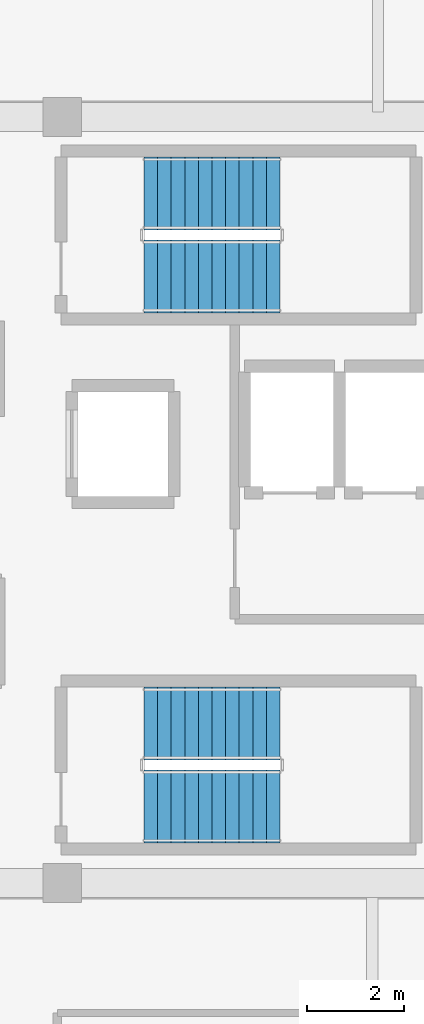
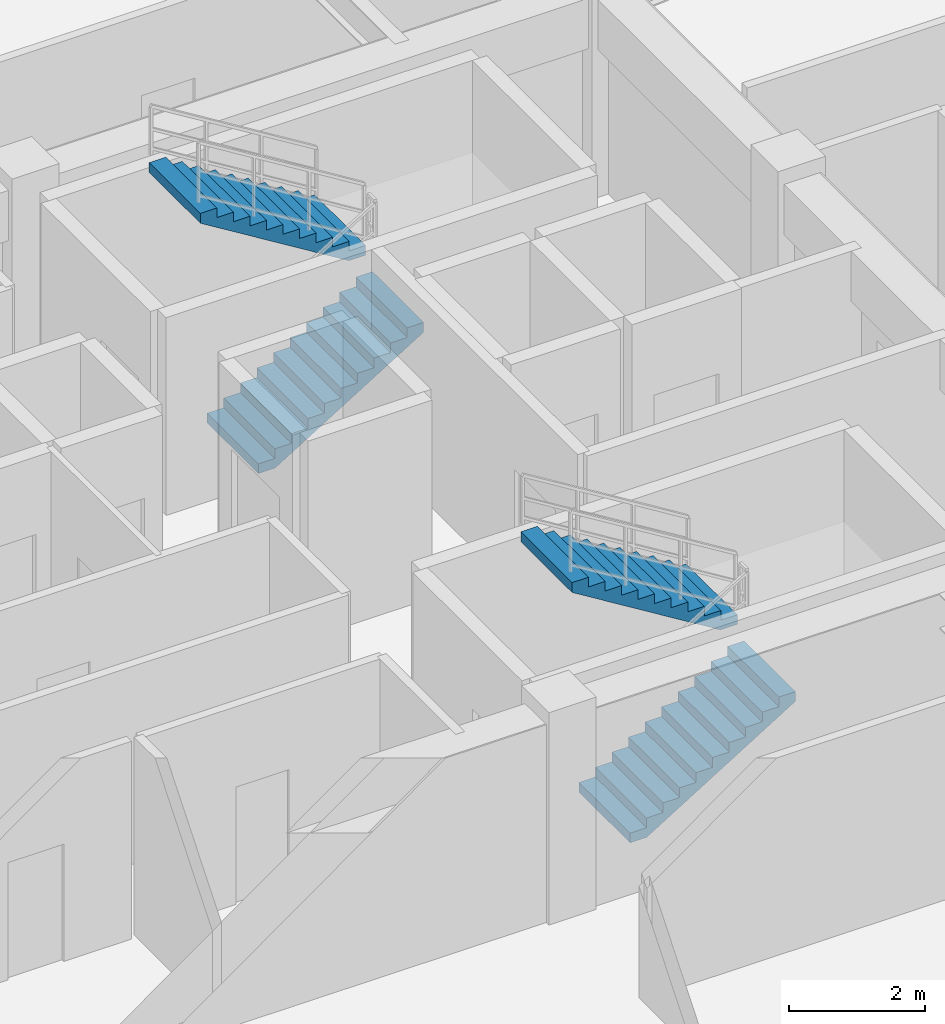
# One storey, part 11 of 13: 4 stair flights, 2 elements without a shape of their own.
"""IFC4 building model written with IfcOpenShell, lengths in metres."""

from ifc_helpers import new_model, si_unit, direction, frame, origin, place, context, subcontext, project, spatial, polyline, outline, extrude, material, type_object, element, aggregate, save


model = new_model("IFC4")

# Units and contexts
model_context = context("Model", 3, precision=1e-05, world=origin(), true_north=direction((0.0, 1.0)))
body_context = subcontext(model_context, "Body", "Model", "MODEL_VIEW")
ifc_project = project(units=[si_unit("LENGTHUNIT", "METRE"), si_unit("AREAUNIT", "SQUARE_METRE"), si_unit("VOLUMEUNIT", "CUBIC_METRE"), si_unit("PLANEANGLEUNIT", "RADIAN"), si_unit("MASSUNIT", "GRAM", prefix="KILO")], contexts=[model_context])

# Site, building, storey
site_placement = place(None, origin())
site = spatial("IfcSite", under=ifc_project, at=site_placement, CompositionType="ELEMENT")
building_placement = place(site_placement, origin())
building = spatial("IfcBuilding", under=site, at=building_placement, Name="Zulverin Broadcast Headquarters", CompositionType="ELEMENT")
storey_placement = place(building_placement, frame((0.0, 0.0, 301.0)))
storey = spatial("IfcBuildingStorey", under=building, at=storey_placement, Name="L77", CompositionType="ELEMENT", Elevation=301.0)

# Stair, stair flights
ifc_material = material(Name="Concrete C40/50", Category="concrete")
stair_type = type_object("IfcStairType", Name="ST-CORE-1500", PredefinedType="HALF_TURN_STAIR", material=ifc_material)
stair_1_placement = place(storey_placement, origin())
stair_1 = element("IfcStair", 1, at=stair_1_placement, inside=storey, type_object=stair_type, Name="L77 Core Exit Stair ST-1", PredefinedType="HALF_TURN_STAIR")
stair_flight_type = type_object("IfcStairFlightType", Name="SF-CORE-1500", PredefinedType="STRAIGHT", material=ifc_material)
stair_flight_1_placement = place(storey_placement, frame((40.1298828125, 29.800048828125, 0.0), z_axis=(0.0, 0.0, 1.0), x_axis=(1.0, 0.0, 0.0)))
stair_flight_1 = element("IfcStairFlight", 2, at=stair_flight_1_placement, type_object=stair_flight_type, Name="ST-1 flight 1", NumberOfRisers=11, NumberOfTreads=10, PredefinedType="STRAIGHT", RiserHeight=0.172727273, TreadLength=0.28, context=body_context, shape_type="SweptSolid", body=[
    extrude(outline(polyline([(0.0, 0.0), (0.0, 0.172607421875), (0.280029296875, 0.172607421875), (0.280029296875, 0.345458984375), (0.56005859375, 0.345458984375), (0.56005859375, 0.51806640625), (0.840087890625, 0.51806640625), (0.840087890625, 0.69091796875), (1.1201171875, 0.69091796875), (1.1201171875, 0.863525390625), (1.39990234375, 0.863525390625), (1.39990234375, 1.036376953125), (1.679931640625, 1.036376953125), (1.679931640625, 1.208984375), (1.9599609375, 1.208984375), (1.9599609375, 1.3818359375), (2.239990234375, 1.3818359375), (2.239990234375, 1.554443359375), (2.52001953125, 1.554443359375), (2.52001953125, 1.727294921875), (2.800048828125, 1.727294921875), (2.800048828125, 1.89990234375), (2.800048828125, 1.551025390625), (0.285400390625, 0.0), (0.0, 0.0)])), frame((0.0, 0.75, 0.0), z_axis=(0.0, -1.0, 0.0), x_axis=(1.0, 0.0, 0.0)), (0.0, 0.0, 1.0), 1.5),
])
stair_flight_2_placement = place(storey_placement, frame((42.929931640625, 31.5, 1.89990234375), z_axis=(0.0, 0.0, 1.0), x_axis=(-1.0, 0.0, 0.0)))
stair_flight_2 = element("IfcStairFlight", 3, at=stair_flight_2_placement, type_object=stair_flight_type, Name="ST-1 flight 2", NumberOfRisers=11, NumberOfTreads=10, PredefinedType="STRAIGHT", RiserHeight=0.172727273, TreadLength=0.28, context=body_context, shape_type="SweptSolid", body=[
    extrude(outline(polyline([(0.0, 0.0), (0.0, 0.172607421875), (0.280029296875, 0.172607421875), (0.280029296875, 0.345458984375), (0.56005859375, 0.345458984375), (0.56005859375, 0.51806640625), (0.840087890625, 0.51806640625), (0.840087890625, 0.69091796875), (1.1201171875, 0.69091796875), (1.1201171875, 0.863525390625), (1.39990234375, 0.863525390625), (1.39990234375, 1.036376953125), (1.679931640625, 1.036376953125), (1.679931640625, 1.208984375), (1.9599609375, 1.208984375), (1.9599609375, 1.3818359375), (2.239990234375, 1.3818359375), (2.239990234375, 1.554443359375), (2.52001953125, 1.554443359375), (2.52001953125, 1.727294921875), (2.800048828125, 1.727294921875), (2.800048828125, 1.89990234375), (2.800048828125, 1.551025390625), (0.285400390625, 0.0), (0.0, 0.0)])), frame((0.0, 0.75, 0.0), z_axis=(0.0, -1.0, 0.0), x_axis=(1.0, 0.0, 0.0)), (0.0, 0.0, 1.0), 1.5),
])
aggregate(stair_1, [stair_flight_1, stair_flight_2])

stair_2_placement = place(storey_placement, origin())
stair_2 = element("IfcStair", 4, at=stair_2_placement, inside=storey, type_object=stair_type, Name="L77 Core Exit Stair ST-2", PredefinedType="HALF_TURN_STAIR")
stair_flight_3_placement = place(storey_placement, frame((40.1298828125, 18.89990234375, 0.0), z_axis=(0.0, 0.0, 1.0), x_axis=(1.0, 0.0, 0.0)))
stair_flight_3 = element("IfcStairFlight", 5, at=stair_flight_3_placement, type_object=stair_flight_type, Name="ST-2 flight 1", NumberOfRisers=11, NumberOfTreads=10, PredefinedType="STRAIGHT", RiserHeight=0.172727273, TreadLength=0.28, context=body_context, shape_type="SweptSolid", body=[
    extrude(outline(polyline([(0.0, 0.0), (0.0, 0.172607421875), (0.280029296875, 0.172607421875), (0.280029296875, 0.345458984375), (0.56005859375, 0.345458984375), (0.56005859375, 0.51806640625), (0.840087890625, 0.51806640625), (0.840087890625, 0.69091796875), (1.1201171875, 0.69091796875), (1.1201171875, 0.863525390625), (1.39990234375, 0.863525390625), (1.39990234375, 1.036376953125), (1.679931640625, 1.036376953125), (1.679931640625, 1.208984375), (1.9599609375, 1.208984375), (1.9599609375, 1.3818359375), (2.239990234375, 1.3818359375), (2.239990234375, 1.554443359375), (2.52001953125, 1.554443359375), (2.52001953125, 1.727294921875), (2.800048828125, 1.727294921875), (2.800048828125, 1.89990234375), (2.800048828125, 1.551025390625), (0.285400390625, 0.0), (0.0, 0.0)])), frame((0.0, 0.75, 0.0), z_axis=(0.0, -1.0, 0.0), x_axis=(1.0, 0.0, 0.0)), (0.0, 0.0, 1.0), 1.5),
])
stair_flight_4_placement = place(storey_placement, frame((42.929931640625, 20.60009765625, 1.89990234375), z_axis=(0.0, 0.0, 1.0), x_axis=(-1.0, 0.0, 0.0)))
stair_flight_4 = element("IfcStairFlight", 6, at=stair_flight_4_placement, type_object=stair_flight_type, Name="ST-2 flight 2", NumberOfRisers=11, NumberOfTreads=10, PredefinedType="STRAIGHT", RiserHeight=0.172727273, TreadLength=0.28, context=body_context, shape_type="SweptSolid", body=[
    extrude(outline(polyline([(0.0, 0.0), (0.0, 0.172607421875), (0.280029296875, 0.172607421875), (0.280029296875, 0.345458984375), (0.56005859375, 0.345458984375), (0.56005859375, 0.51806640625), (0.840087890625, 0.51806640625), (0.840087890625, 0.69091796875), (1.1201171875, 0.69091796875), (1.1201171875, 0.863525390625), (1.39990234375, 0.863525390625), (1.39990234375, 1.036376953125), (1.679931640625, 1.036376953125), (1.679931640625, 1.208984375), (1.9599609375, 1.208984375), (1.9599609375, 1.3818359375), (2.239990234375, 1.3818359375), (2.239990234375, 1.554443359375), (2.52001953125, 1.554443359375), (2.52001953125, 1.727294921875), (2.800048828125, 1.727294921875), (2.800048828125, 1.89990234375), (2.800048828125, 1.551025390625), (0.285400390625, 0.0), (0.0, 0.0)])), frame((0.0, 0.75, 0.0), z_axis=(0.0, -1.0, 0.0), x_axis=(1.0, 0.0, 0.0)), (0.0, 0.0, 1.0), 1.5),
])
aggregate(stair_2, [stair_flight_3, stair_flight_4])

save(model, "model.ifc")
